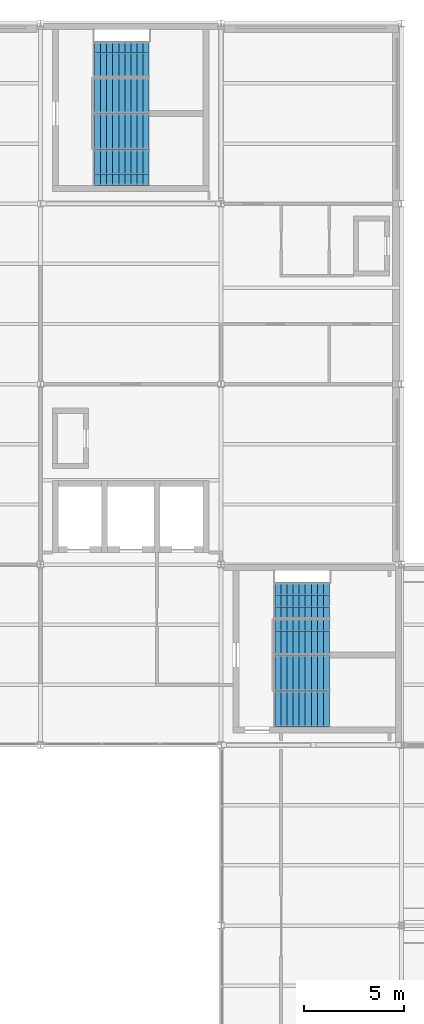
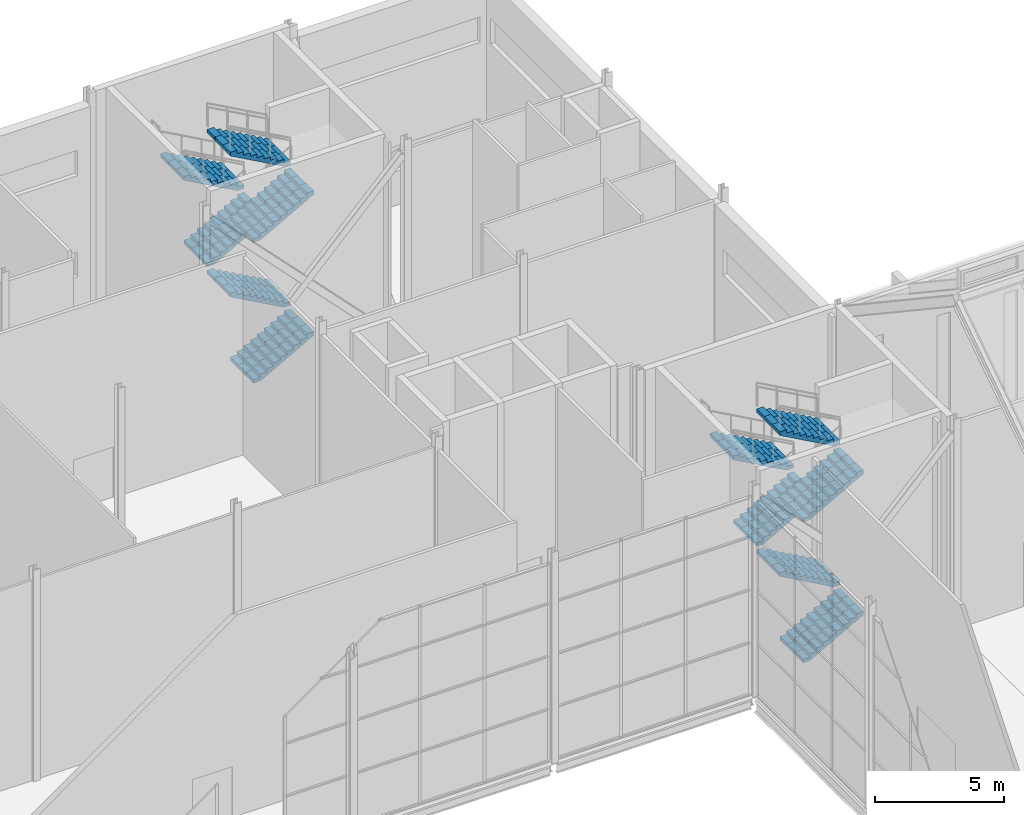
# One storey, part 99 of 111: 12 stair flights, 2 elements without a shape of their own.
"""IFC4 building model written with IfcOpenShell, lengths in metres."""

from ifc_helpers import new_model, si_unit, direction, frame, origin, place, context, subcontext, project, spatial, polyline, outline, extrude, material, type_object, element, aggregate, save


model = new_model("IFC4")

# Units and contexts
model_context = context("Model", 3, precision=1e-05, world=origin(), true_north=direction((0.0, 1.0)))
body_context = subcontext(model_context, "Body", "Model", "MODEL_VIEW")
ifc_project = project(units=[si_unit("LENGTHUNIT", "METRE"), si_unit("AREAUNIT", "SQUARE_METRE"), si_unit("VOLUMEUNIT", "CUBIC_METRE"), si_unit("PLANEANGLEUNIT", "RADIAN"), si_unit("MASSUNIT", "GRAM", prefix="KILO")], contexts=[model_context])

# Site, building, storey
site_placement = place(None, origin())
site = spatial("IfcSite", under=ifc_project, at=site_placement, CompositionType="ELEMENT")
building_placement = place(site_placement, origin())
building = spatial("IfcBuilding", under=site, at=building_placement, Name="Shorebreak Coast Museum", CompositionType="ELEMENT")
storey_placement = place(building_placement, frame((0.0, 0.0, 16.0)))
storey = spatial("IfcBuildingStorey", under=building, at=storey_placement, Name="L03", CompositionType="ELEMENT", Elevation=16.0)

# Stair, stair flights
ifc_material_1 = material(Name="Concrete N40 (40 MPa)", Category="concrete")
stair_type = type_object("IfcStairType", Name="Stair run 10 m", PredefinedType="DOUBLE_RETURN_STAIR", material=ifc_material_1)
stair_1_placement = place(storey_placement, origin())
stair_1 = element("IfcStair", 1, at=stair_1_placement, inside=storey, type_object=stair_type, Name="Exit stair ST04-L03", PredefinedType="DOUBLE_RETURN_STAIR")
ifc_material_2 = material(Name="Concrete N40 (40 MPa)", Category="concrete")
stair_flight_type = type_object("IfcStairFlightType", Name="Stair flight 10 risers 166.67", PredefinedType="STRAIGHT", material=ifc_material_2)
stair_flight_1_placement = place(storey_placement, frame((110.699951171875, 82.800048828125, 0.0), z_axis=(0.0, 0.0, 1.0), x_axis=(1.0, 0.0, 0.0)))
stair_flight_1 = element("IfcStairFlight", 2, at=stair_flight_1_placement, type_object=stair_flight_type, Name="ST04-L03 flight 1", NumberOfRisers=10, NumberOfTreads=9, PredefinedType="STRAIGHT", RiserHeight=0.166666667, TreadLength=0.3, context=body_context, shape_type="SweptSolid", body=[
    extrude(outline(polyline([(0.0, 0.0), (0.0, 0.166748046875), (0.300048828125, 0.166748046875), (0.300048828125, 0.333251953125), (0.60009765625, 0.333251953125), (0.60009765625, 0.5), (0.89990234375, 0.5), (0.89990234375, 0.666748046875), (1.199951171875, 0.666748046875), (1.199951171875, 0.833251953125), (1.5, 0.833251953125), (1.5, 1.0), (1.800048828125, 1.0), (1.800048828125, 1.166748046875), (2.10009765625, 1.166748046875), (2.10009765625, 1.333251953125), (2.39990234375, 1.333251953125), (2.39990234375, 1.5), (2.699951171875, 1.5), (2.699951171875, 1.666748046875), (2.699951171875, 1.32861328125), (0.30859375, 0.0), (0.0, 0.0)])), frame((0.0, 0.89990234375, 0.0), z_axis=(0.0, -1.0, 0.0), x_axis=(1.0, 0.0, 0.0)), (0.0, 0.0, 1.0), 0.59326171875),
    extrude(outline(polyline([(0.0, 0.0), (0.0, 0.166748046875), (0.300048828125, 0.166748046875), (0.300048828125, 0.333251953125), (0.60009765625, 0.333251953125), (0.60009765625, 0.5), (0.89990234375, 0.5), (0.89990234375, 0.666748046875), (1.199951171875, 0.666748046875), (1.199951171875, 0.833251953125), (1.5, 0.833251953125), (1.5, 1.0), (1.800048828125, 1.0), (1.800048828125, 1.166748046875), (2.10009765625, 1.166748046875), (2.10009765625, 1.333251953125), (2.39990234375, 1.333251953125), (2.39990234375, 1.5), (2.699951171875, 1.5), (2.699951171875, 1.666748046875), (2.699951171875, 1.32861328125), (0.30859375, 0.0), (0.0, 0.0)])), frame((0.0, 0.296630859375, 0.0), z_axis=(0.0, -1.0, 0.0), x_axis=(1.0, 0.0, 0.0)), (0.0, 0.0, 1.0), 0.59326171875),
    extrude(outline(polyline([(0.0, 0.0), (0.0, 0.166748046875), (0.300048828125, 0.166748046875), (0.300048828125, 0.333251953125), (0.60009765625, 0.333251953125), (0.60009765625, 0.5), (0.89990234375, 0.5), (0.89990234375, 0.666748046875), (1.199951171875, 0.666748046875), (1.199951171875, 0.833251953125), (1.5, 0.833251953125), (1.5, 1.0), (1.800048828125, 1.0), (1.800048828125, 1.166748046875), (2.10009765625, 1.166748046875), (2.10009765625, 1.333251953125), (2.39990234375, 1.333251953125), (2.39990234375, 1.5), (2.699951171875, 1.5), (2.699951171875, 1.666748046875), (2.699951171875, 1.32861328125), (0.30859375, 0.0), (0.0, 0.0)])), frame((0.0, -0.306640625, 0.0), z_axis=(0.0, -1.0, 0.0), x_axis=(1.0, 0.0, 0.0)), (0.0, 0.0, 1.0), 0.59326171875),
])
stair_flight_2_placement = place(storey_placement, frame((113.39990234375, 84.60009765625, 1.666748046875), z_axis=(0.0, 0.0, 1.0), x_axis=(-1.0, 0.0, 0.0)))
stair_flight_2 = element("IfcStairFlight", 3, at=stair_flight_2_placement, type_object=stair_flight_type, Name="ST04-L03 flight 2", NumberOfRisers=10, NumberOfTreads=9, PredefinedType="STRAIGHT", RiserHeight=0.166666667, TreadLength=0.3, context=body_context, shape_type="SweptSolid", body=[
    extrude(outline(polyline([(0.0, 0.0), (0.0, 0.166748046875), (0.300048828125, 0.166748046875), (0.300048828125, 0.333251953125), (0.60009765625, 0.333251953125), (0.60009765625, 0.5), (0.89990234375, 0.5), (0.89990234375, 0.666748046875), (1.199951171875, 0.666748046875), (1.199951171875, 0.833251953125), (1.5, 0.833251953125), (1.5, 1.0), (1.800048828125, 1.0), (1.800048828125, 1.166748046875), (2.10009765625, 1.166748046875), (2.10009765625, 1.333251953125), (2.39990234375, 1.333251953125), (2.39990234375, 1.5), (2.699951171875, 1.5), (2.699951171875, 1.666748046875), (2.699951171875, 1.32861328125), (0.30859375, 0.0), (0.0, 0.0)])), frame((0.0, 0.89990234375, 0.0), z_axis=(0.0, -1.0, 0.0), x_axis=(1.0, 0.0, 0.0)), (0.0, 0.0, 1.0), 0.59326171875),
    extrude(outline(polyline([(0.0, 0.0), (0.0, 0.166748046875), (0.300048828125, 0.166748046875), (0.300048828125, 0.333251953125), (0.60009765625, 0.333251953125), (0.60009765625, 0.5), (0.89990234375, 0.5), (0.89990234375, 0.666748046875), (1.199951171875, 0.666748046875), (1.199951171875, 0.833251953125), (1.5, 0.833251953125), (1.5, 1.0), (1.800048828125, 1.0), (1.800048828125, 1.166748046875), (2.10009765625, 1.166748046875), (2.10009765625, 1.333251953125), (2.39990234375, 1.333251953125), (2.39990234375, 1.5), (2.699951171875, 1.5), (2.699951171875, 1.666748046875), (2.699951171875, 1.32861328125), (0.30859375, 0.0), (0.0, 0.0)])), frame((0.0, 0.296630859375, 0.0), z_axis=(0.0, -1.0, 0.0), x_axis=(1.0, 0.0, 0.0)), (0.0, 0.0, 1.0), 0.59326171875),
    extrude(outline(polyline([(0.0, 0.0), (0.0, 0.166748046875), (0.300048828125, 0.166748046875), (0.300048828125, 0.333251953125), (0.60009765625, 0.333251953125), (0.60009765625, 0.5), (0.89990234375, 0.5), (0.89990234375, 0.666748046875), (1.199951171875, 0.666748046875), (1.199951171875, 0.833251953125), (1.5, 0.833251953125), (1.5, 1.0), (1.800048828125, 1.0), (1.800048828125, 1.166748046875), (2.10009765625, 1.166748046875), (2.10009765625, 1.333251953125), (2.39990234375, 1.333251953125), (2.39990234375, 1.5), (2.699951171875, 1.5), (2.699951171875, 1.666748046875), (2.699951171875, 1.32861328125), (0.30859375, 0.0), (0.0, 0.0)])), frame((0.0, -0.306640625, 0.0), z_axis=(0.0, -1.0, 0.0), x_axis=(1.0, 0.0, 0.0)), (0.0, 0.0, 1.0), 0.59326171875),
])
stair_flight_3_placement = place(storey_placement, frame((110.699951171875, 86.39990234375, 3.333251953125), z_axis=(0.0, 0.0, 1.0), x_axis=(1.0, 0.0, 0.0)))
stair_flight_3 = element("IfcStairFlight", 4, at=stair_flight_3_placement, type_object=stair_flight_type, Name="ST04-L03 flight 3", NumberOfRisers=10, NumberOfTreads=9, PredefinedType="STRAIGHT", RiserHeight=0.166666667, TreadLength=0.3, context=body_context, shape_type="SweptSolid", body=[
    extrude(outline(polyline([(0.0, 0.0), (0.0, 0.166748046875), (0.300048828125, 0.166748046875), (0.300048828125, 0.333251953125), (0.60009765625, 0.333251953125), (0.60009765625, 0.5), (0.89990234375, 0.5), (0.89990234375, 0.666748046875), (1.199951171875, 0.666748046875), (1.199951171875, 0.833251953125), (1.5, 0.833251953125), (1.5, 1.0), (1.800048828125, 1.0), (1.800048828125, 1.166748046875), (2.10009765625, 1.166748046875), (2.10009765625, 1.333251953125), (2.39990234375, 1.333251953125), (2.39990234375, 1.5), (2.699951171875, 1.5), (2.699951171875, 1.666748046875), (2.699951171875, 1.32861328125), (0.30859375, 0.0), (0.0, 0.0)])), frame((0.0, 0.89990234375, 0.0), z_axis=(0.0, -1.0, 0.0), x_axis=(1.0, 0.0, 0.0)), (0.0, 0.0, 1.0), 0.59326171875),
    extrude(outline(polyline([(0.0, 0.0), (0.0, 0.166748046875), (0.300048828125, 0.166748046875), (0.300048828125, 0.333251953125), (0.60009765625, 0.333251953125), (0.60009765625, 0.5), (0.89990234375, 0.5), (0.89990234375, 0.666748046875), (1.199951171875, 0.666748046875), (1.199951171875, 0.833251953125), (1.5, 0.833251953125), (1.5, 1.0), (1.800048828125, 1.0), (1.800048828125, 1.166748046875), (2.10009765625, 1.166748046875), (2.10009765625, 1.333251953125), (2.39990234375, 1.333251953125), (2.39990234375, 1.5), (2.699951171875, 1.5), (2.699951171875, 1.666748046875), (2.699951171875, 1.32861328125), (0.30859375, 0.0), (0.0, 0.0)])), frame((0.0, 0.296630859375, 0.0), z_axis=(0.0, -1.0, 0.0), x_axis=(1.0, 0.0, 0.0)), (0.0, 0.0, 1.0), 0.59326171875),
    extrude(outline(polyline([(0.0, 0.0), (0.0, 0.166748046875), (0.300048828125, 0.166748046875), (0.300048828125, 0.333251953125), (0.60009765625, 0.333251953125), (0.60009765625, 0.5), (0.89990234375, 0.5), (0.89990234375, 0.666748046875), (1.199951171875, 0.666748046875), (1.199951171875, 0.833251953125), (1.5, 0.833251953125), (1.5, 1.0), (1.800048828125, 1.0), (1.800048828125, 1.166748046875), (2.10009765625, 1.166748046875), (2.10009765625, 1.333251953125), (2.39990234375, 1.333251953125), (2.39990234375, 1.5), (2.699951171875, 1.5), (2.699951171875, 1.666748046875), (2.699951171875, 1.32861328125), (0.30859375, 0.0), (0.0, 0.0)])), frame((0.0, -0.306640625, 0.0), z_axis=(0.0, -1.0, 0.0), x_axis=(1.0, 0.0, 0.0)), (0.0, 0.0, 1.0), 0.59326171875),
])
stair_flight_4_placement = place(storey_placement, frame((113.39990234375, 88.199951171875, 5.0), z_axis=(0.0, 0.0, 1.0), x_axis=(-1.0, 0.0, 0.0)))
stair_flight_4 = element("IfcStairFlight", 5, at=stair_flight_4_placement, type_object=stair_flight_type, Name="ST04-L03 flight 4", NumberOfRisers=10, NumberOfTreads=9, PredefinedType="STRAIGHT", RiserHeight=0.166666667, TreadLength=0.3, context=body_context, shape_type="SweptSolid", body=[
    extrude(outline(polyline([(0.0, 0.0), (0.0, 0.166748046875), (0.300048828125, 0.166748046875), (0.300048828125, 0.333251953125), (0.60009765625, 0.333251953125), (0.60009765625, 0.5), (0.89990234375, 0.5), (0.89990234375, 0.666748046875), (1.199951171875, 0.666748046875), (1.199951171875, 0.833251953125), (1.5, 0.833251953125), (1.5, 1.0), (1.800048828125, 1.0), (1.800048828125, 1.166748046875), (2.10009765625, 1.166748046875), (2.10009765625, 1.333251953125), (2.39990234375, 1.333251953125), (2.39990234375, 1.5), (2.699951171875, 1.5), (2.699951171875, 1.666748046875), (2.699951171875, 1.32861328125), (0.30859375, 0.0), (0.0, 0.0)])), frame((0.0, 0.89990234375, 0.0), z_axis=(0.0, -1.0, 0.0), x_axis=(1.0, 0.0, 0.0)), (0.0, 0.0, 1.0), 0.59326171875),
    extrude(outline(polyline([(0.0, 0.0), (0.0, 0.166748046875), (0.300048828125, 0.166748046875), (0.300048828125, 0.333251953125), (0.60009765625, 0.333251953125), (0.60009765625, 0.5), (0.89990234375, 0.5), (0.89990234375, 0.666748046875), (1.199951171875, 0.666748046875), (1.199951171875, 0.833251953125), (1.5, 0.833251953125), (1.5, 1.0), (1.800048828125, 1.0), (1.800048828125, 1.166748046875), (2.10009765625, 1.166748046875), (2.10009765625, 1.333251953125), (2.39990234375, 1.333251953125), (2.39990234375, 1.5), (2.699951171875, 1.5), (2.699951171875, 1.666748046875), (2.699951171875, 1.32861328125), (0.30859375, 0.0), (0.0, 0.0)])), frame((0.0, 0.296630859375, 0.0), z_axis=(0.0, -1.0, 0.0), x_axis=(1.0, 0.0, 0.0)), (0.0, 0.0, 1.0), 0.59326171875),
    extrude(outline(polyline([(0.0, 0.0), (0.0, 0.166748046875), (0.300048828125, 0.166748046875), (0.300048828125, 0.333251953125), (0.60009765625, 0.333251953125), (0.60009765625, 0.5), (0.89990234375, 0.5), (0.89990234375, 0.666748046875), (1.199951171875, 0.666748046875), (1.199951171875, 0.833251953125), (1.5, 0.833251953125), (1.5, 1.0), (1.800048828125, 1.0), (1.800048828125, 1.166748046875), (2.10009765625, 1.166748046875), (2.10009765625, 1.333251953125), (2.39990234375, 1.333251953125), (2.39990234375, 1.5), (2.699951171875, 1.5), (2.699951171875, 1.666748046875), (2.699951171875, 1.32861328125), (0.30859375, 0.0), (0.0, 0.0)])), frame((0.0, -0.306640625, 0.0), z_axis=(0.0, -1.0, 0.0), x_axis=(1.0, 0.0, 0.0)), (0.0, 0.0, 1.0), 0.59326171875),
])
stair_flight_5_placement = place(storey_placement, frame((110.699951171875, 82.800048828125, 6.666748046875), z_axis=(0.0, 0.0, 1.0), x_axis=(1.0, 0.0, 0.0)))
stair_flight_5 = element("IfcStairFlight", 6, at=stair_flight_5_placement, type_object=stair_flight_type, Name="ST04-L03 flight 5", NumberOfRisers=10, NumberOfTreads=9, PredefinedType="STRAIGHT", RiserHeight=0.166666667, TreadLength=0.3, context=body_context, shape_type="SweptSolid", body=[
    extrude(outline(polyline([(0.0, 0.0), (0.0, 0.166748046875), (0.300048828125, 0.166748046875), (0.300048828125, 0.333251953125), (0.60009765625, 0.333251953125), (0.60009765625, 0.5), (0.89990234375, 0.5), (0.89990234375, 0.666748046875), (1.199951171875, 0.666748046875), (1.199951171875, 0.833251953125), (1.5, 0.833251953125), (1.5, 1.0), (1.800048828125, 1.0), (1.800048828125, 1.166748046875), (2.10009765625, 1.166748046875), (2.10009765625, 1.333251953125), (2.39990234375, 1.333251953125), (2.39990234375, 1.5), (2.699951171875, 1.5), (2.699951171875, 1.666748046875), (2.699951171875, 1.32861328125), (0.30859375, 0.0), (0.0, 0.0)])), frame((0.0, 0.89990234375, 0.0), z_axis=(0.0, -1.0, 0.0), x_axis=(1.0, 0.0, 0.0)), (0.0, 0.0, 1.0), 0.59326171875),
    extrude(outline(polyline([(0.0, 0.0), (0.0, 0.166748046875), (0.300048828125, 0.166748046875), (0.300048828125, 0.333251953125), (0.60009765625, 0.333251953125), (0.60009765625, 0.5), (0.89990234375, 0.5), (0.89990234375, 0.666748046875), (1.199951171875, 0.666748046875), (1.199951171875, 0.833251953125), (1.5, 0.833251953125), (1.5, 1.0), (1.800048828125, 1.0), (1.800048828125, 1.166748046875), (2.10009765625, 1.166748046875), (2.10009765625, 1.333251953125), (2.39990234375, 1.333251953125), (2.39990234375, 1.5), (2.699951171875, 1.5), (2.699951171875, 1.666748046875), (2.699951171875, 1.32861328125), (0.30859375, 0.0), (0.0, 0.0)])), frame((0.0, 0.296630859375, 0.0), z_axis=(0.0, -1.0, 0.0), x_axis=(1.0, 0.0, 0.0)), (0.0, 0.0, 1.0), 0.59326171875),
    extrude(outline(polyline([(0.0, 0.0), (0.0, 0.166748046875), (0.300048828125, 0.166748046875), (0.300048828125, 0.333251953125), (0.60009765625, 0.333251953125), (0.60009765625, 0.5), (0.89990234375, 0.5), (0.89990234375, 0.666748046875), (1.199951171875, 0.666748046875), (1.199951171875, 0.833251953125), (1.5, 0.833251953125), (1.5, 1.0), (1.800048828125, 1.0), (1.800048828125, 1.166748046875), (2.10009765625, 1.166748046875), (2.10009765625, 1.333251953125), (2.39990234375, 1.333251953125), (2.39990234375, 1.5), (2.699951171875, 1.5), (2.699951171875, 1.666748046875), (2.699951171875, 1.32861328125), (0.30859375, 0.0), (0.0, 0.0)])), frame((0.0, -0.306640625, 0.0), z_axis=(0.0, -1.0, 0.0), x_axis=(1.0, 0.0, 0.0)), (0.0, 0.0, 1.0), 0.59326171875),
])
stair_flight_6_placement = place(storey_placement, frame((113.39990234375, 84.60009765625, 8.333251953125), z_axis=(0.0, 0.0, 1.0), x_axis=(-1.0, 0.0, 0.0)))
stair_flight_6 = element("IfcStairFlight", 7, at=stair_flight_6_placement, type_object=stair_flight_type, Name="ST04-L03 flight 6", NumberOfRisers=10, NumberOfTreads=9, PredefinedType="STRAIGHT", RiserHeight=0.166666667, TreadLength=0.3, context=body_context, shape_type="SweptSolid", body=[
    extrude(outline(polyline([(0.0, 0.0), (0.0, 0.166748046875), (0.300048828125, 0.166748046875), (0.300048828125, 0.333251953125), (0.60009765625, 0.333251953125), (0.60009765625, 0.5), (0.89990234375, 0.5), (0.89990234375, 0.666748046875), (1.199951171875, 0.666748046875), (1.199951171875, 0.833251953125), (1.5, 0.833251953125), (1.5, 1.0), (1.800048828125, 1.0), (1.800048828125, 1.166748046875), (2.10009765625, 1.166748046875), (2.10009765625, 1.333251953125), (2.39990234375, 1.333251953125), (2.39990234375, 1.5), (2.699951171875, 1.5), (2.699951171875, 1.666748046875), (2.699951171875, 1.32861328125), (0.30859375, 0.0), (0.0, 0.0)])), frame((0.0, 0.89990234375, 0.0), z_axis=(0.0, -1.0, 0.0), x_axis=(1.0, 0.0, 0.0)), (0.0, 0.0, 1.0), 0.59326171875),
    extrude(outline(polyline([(0.0, 0.0), (0.0, 0.166748046875), (0.300048828125, 0.166748046875), (0.300048828125, 0.333251953125), (0.60009765625, 0.333251953125), (0.60009765625, 0.5), (0.89990234375, 0.5), (0.89990234375, 0.666748046875), (1.199951171875, 0.666748046875), (1.199951171875, 0.833251953125), (1.5, 0.833251953125), (1.5, 1.0), (1.800048828125, 1.0), (1.800048828125, 1.166748046875), (2.10009765625, 1.166748046875), (2.10009765625, 1.333251953125), (2.39990234375, 1.333251953125), (2.39990234375, 1.5), (2.699951171875, 1.5), (2.699951171875, 1.666748046875), (2.699951171875, 1.32861328125), (0.30859375, 0.0), (0.0, 0.0)])), frame((0.0, 0.296630859375, 0.0), z_axis=(0.0, -1.0, 0.0), x_axis=(1.0, 0.0, 0.0)), (0.0, 0.0, 1.0), 0.59326171875),
    extrude(outline(polyline([(0.0, 0.0), (0.0, 0.166748046875), (0.300048828125, 0.166748046875), (0.300048828125, 0.333251953125), (0.60009765625, 0.333251953125), (0.60009765625, 0.5), (0.89990234375, 0.5), (0.89990234375, 0.666748046875), (1.199951171875, 0.666748046875), (1.199951171875, 0.833251953125), (1.5, 0.833251953125), (1.5, 1.0), (1.800048828125, 1.0), (1.800048828125, 1.166748046875), (2.10009765625, 1.166748046875), (2.10009765625, 1.333251953125), (2.39990234375, 1.333251953125), (2.39990234375, 1.5), (2.699951171875, 1.5), (2.699951171875, 1.666748046875), (2.699951171875, 1.32861328125), (0.30859375, 0.0), (0.0, 0.0)])), frame((0.0, -0.306640625, 0.0), z_axis=(0.0, -1.0, 0.0), x_axis=(1.0, 0.0, 0.0)), (0.0, 0.0, 1.0), 0.59326171875),
])
aggregate(stair_1, [stair_flight_1, stair_flight_2, stair_flight_3, stair_flight_4, stair_flight_5, stair_flight_6])

stair_2_placement = place(storey_placement, origin())
stair_2 = element("IfcStair", 8, at=stair_2_placement, inside=storey, type_object=stair_type, Name="Exit stair ST10-L03", PredefinedType="DOUBLE_RETURN_STAIR")
stair_flight_7_placement = place(storey_placement, frame((101.699951171875, 109.800048828125, 0.0), z_axis=(0.0, 0.0, 1.0), x_axis=(1.0, 0.0, 0.0)))
stair_flight_7 = element("IfcStairFlight", 9, at=stair_flight_7_placement, type_object=stair_flight_type, Name="ST10-L03 flight 1", NumberOfRisers=10, NumberOfTreads=9, PredefinedType="STRAIGHT", RiserHeight=0.166666667, TreadLength=0.3, context=body_context, shape_type="SweptSolid", body=[
    extrude(outline(polyline([(0.0, 0.0), (0.0, 0.166748046875), (0.300048828125, 0.166748046875), (0.300048828125, 0.333251953125), (0.60009765625, 0.333251953125), (0.60009765625, 0.5), (0.89990234375, 0.5), (0.89990234375, 0.666748046875), (1.199951171875, 0.666748046875), (1.199951171875, 0.833251953125), (1.5, 0.833251953125), (1.5, 1.0), (1.800048828125, 1.0), (1.800048828125, 1.166748046875), (2.10009765625, 1.166748046875), (2.10009765625, 1.333251953125), (2.39990234375, 1.333251953125), (2.39990234375, 1.5), (2.699951171875, 1.5), (2.699951171875, 1.666748046875), (2.699951171875, 1.32861328125), (0.30859375, 0.0), (0.0, 0.0)])), frame((0.0, 0.89990234375, 0.0), z_axis=(0.0, -1.0, 0.0), x_axis=(1.0, 0.0, 0.0)), (0.0, 0.0, 1.0), 0.59326171875),
    extrude(outline(polyline([(0.0, 0.0), (0.0, 0.166748046875), (0.300048828125, 0.166748046875), (0.300048828125, 0.333251953125), (0.60009765625, 0.333251953125), (0.60009765625, 0.5), (0.89990234375, 0.5), (0.89990234375, 0.666748046875), (1.199951171875, 0.666748046875), (1.199951171875, 0.833251953125), (1.5, 0.833251953125), (1.5, 1.0), (1.800048828125, 1.0), (1.800048828125, 1.166748046875), (2.10009765625, 1.166748046875), (2.10009765625, 1.333251953125), (2.39990234375, 1.333251953125), (2.39990234375, 1.5), (2.699951171875, 1.5), (2.699951171875, 1.666748046875), (2.699951171875, 1.32861328125), (0.30859375, 0.0), (0.0, 0.0)])), frame((0.0, 0.296630859375, 0.0), z_axis=(0.0, -1.0, 0.0), x_axis=(1.0, 0.0, 0.0)), (0.0, 0.0, 1.0), 0.59326171875),
    extrude(outline(polyline([(0.0, 0.0), (0.0, 0.166748046875), (0.300048828125, 0.166748046875), (0.300048828125, 0.333251953125), (0.60009765625, 0.333251953125), (0.60009765625, 0.5), (0.89990234375, 0.5), (0.89990234375, 0.666748046875), (1.199951171875, 0.666748046875), (1.199951171875, 0.833251953125), (1.5, 0.833251953125), (1.5, 1.0), (1.800048828125, 1.0), (1.800048828125, 1.166748046875), (2.10009765625, 1.166748046875), (2.10009765625, 1.333251953125), (2.39990234375, 1.333251953125), (2.39990234375, 1.5), (2.699951171875, 1.5), (2.699951171875, 1.666748046875), (2.699951171875, 1.32861328125), (0.30859375, 0.0), (0.0, 0.0)])), frame((0.0, -0.306640625, 0.0), z_axis=(0.0, -1.0, 0.0), x_axis=(1.0, 0.0, 0.0)), (0.0, 0.0, 1.0), 0.59326171875),
])
stair_flight_8_placement = place(storey_placement, frame((104.39990234375, 111.60009765625, 1.666748046875), z_axis=(0.0, 0.0, 1.0), x_axis=(-1.0, 0.0, 0.0)))
stair_flight_8 = element("IfcStairFlight", 10, at=stair_flight_8_placement, type_object=stair_flight_type, Name="ST10-L03 flight 2", NumberOfRisers=10, NumberOfTreads=9, PredefinedType="STRAIGHT", RiserHeight=0.166666667, TreadLength=0.3, context=body_context, shape_type="SweptSolid", body=[
    extrude(outline(polyline([(0.0, 0.0), (0.0, 0.166748046875), (0.300048828125, 0.166748046875), (0.300048828125, 0.333251953125), (0.60009765625, 0.333251953125), (0.60009765625, 0.5), (0.89990234375, 0.5), (0.89990234375, 0.666748046875), (1.199951171875, 0.666748046875), (1.199951171875, 0.833251953125), (1.5, 0.833251953125), (1.5, 1.0), (1.800048828125, 1.0), (1.800048828125, 1.166748046875), (2.10009765625, 1.166748046875), (2.10009765625, 1.333251953125), (2.39990234375, 1.333251953125), (2.39990234375, 1.5), (2.699951171875, 1.5), (2.699951171875, 1.666748046875), (2.699951171875, 1.32861328125), (0.30859375, 0.0), (0.0, 0.0)])), frame((0.0, 0.89990234375, 0.0), z_axis=(0.0, -1.0, 0.0), x_axis=(1.0, 0.0, 0.0)), (0.0, 0.0, 1.0), 0.59326171875),
    extrude(outline(polyline([(0.0, 0.0), (0.0, 0.166748046875), (0.300048828125, 0.166748046875), (0.300048828125, 0.333251953125), (0.60009765625, 0.333251953125), (0.60009765625, 0.5), (0.89990234375, 0.5), (0.89990234375, 0.666748046875), (1.199951171875, 0.666748046875), (1.199951171875, 0.833251953125), (1.5, 0.833251953125), (1.5, 1.0), (1.800048828125, 1.0), (1.800048828125, 1.166748046875), (2.10009765625, 1.166748046875), (2.10009765625, 1.333251953125), (2.39990234375, 1.333251953125), (2.39990234375, 1.5), (2.699951171875, 1.5), (2.699951171875, 1.666748046875), (2.699951171875, 1.32861328125), (0.30859375, 0.0), (0.0, 0.0)])), frame((0.0, 0.296630859375, 0.0), z_axis=(0.0, -1.0, 0.0), x_axis=(1.0, 0.0, 0.0)), (0.0, 0.0, 1.0), 0.59326171875),
    extrude(outline(polyline([(0.0, 0.0), (0.0, 0.166748046875), (0.300048828125, 0.166748046875), (0.300048828125, 0.333251953125), (0.60009765625, 0.333251953125), (0.60009765625, 0.5), (0.89990234375, 0.5), (0.89990234375, 0.666748046875), (1.199951171875, 0.666748046875), (1.199951171875, 0.833251953125), (1.5, 0.833251953125), (1.5, 1.0), (1.800048828125, 1.0), (1.800048828125, 1.166748046875), (2.10009765625, 1.166748046875), (2.10009765625, 1.333251953125), (2.39990234375, 1.333251953125), (2.39990234375, 1.5), (2.699951171875, 1.5), (2.699951171875, 1.666748046875), (2.699951171875, 1.32861328125), (0.30859375, 0.0), (0.0, 0.0)])), frame((0.0, -0.306640625, 0.0), z_axis=(0.0, -1.0, 0.0), x_axis=(1.0, 0.0, 0.0)), (0.0, 0.0, 1.0), 0.59326171875),
])
stair_flight_9_placement = place(storey_placement, frame((101.699951171875, 113.39990234375, 3.333251953125), z_axis=(0.0, 0.0, 1.0), x_axis=(1.0, 0.0, 0.0)))
stair_flight_9 = element("IfcStairFlight", 11, at=stair_flight_9_placement, type_object=stair_flight_type, Name="ST10-L03 flight 3", NumberOfRisers=10, NumberOfTreads=9, PredefinedType="STRAIGHT", RiserHeight=0.166666667, TreadLength=0.3, context=body_context, shape_type="SweptSolid", body=[
    extrude(outline(polyline([(0.0, 0.0), (0.0, 0.166748046875), (0.300048828125, 0.166748046875), (0.300048828125, 0.333251953125), (0.60009765625, 0.333251953125), (0.60009765625, 0.5), (0.89990234375, 0.5), (0.89990234375, 0.666748046875), (1.199951171875, 0.666748046875), (1.199951171875, 0.833251953125), (1.5, 0.833251953125), (1.5, 1.0), (1.800048828125, 1.0), (1.800048828125, 1.166748046875), (2.10009765625, 1.166748046875), (2.10009765625, 1.333251953125), (2.39990234375, 1.333251953125), (2.39990234375, 1.5), (2.699951171875, 1.5), (2.699951171875, 1.666748046875), (2.699951171875, 1.32861328125), (0.30859375, 0.0), (0.0, 0.0)])), frame((0.0, 0.89990234375, 0.0), z_axis=(0.0, -1.0, 0.0), x_axis=(1.0, 0.0, 0.0)), (0.0, 0.0, 1.0), 0.59326171875),
    extrude(outline(polyline([(0.0, 0.0), (0.0, 0.166748046875), (0.300048828125, 0.166748046875), (0.300048828125, 0.333251953125), (0.60009765625, 0.333251953125), (0.60009765625, 0.5), (0.89990234375, 0.5), (0.89990234375, 0.666748046875), (1.199951171875, 0.666748046875), (1.199951171875, 0.833251953125), (1.5, 0.833251953125), (1.5, 1.0), (1.800048828125, 1.0), (1.800048828125, 1.166748046875), (2.10009765625, 1.166748046875), (2.10009765625, 1.333251953125), (2.39990234375, 1.333251953125), (2.39990234375, 1.5), (2.699951171875, 1.5), (2.699951171875, 1.666748046875), (2.699951171875, 1.32861328125), (0.30859375, 0.0), (0.0, 0.0)])), frame((0.0, 0.296630859375, 0.0), z_axis=(0.0, -1.0, 0.0), x_axis=(1.0, 0.0, 0.0)), (0.0, 0.0, 1.0), 0.59326171875),
    extrude(outline(polyline([(0.0, 0.0), (0.0, 0.166748046875), (0.300048828125, 0.166748046875), (0.300048828125, 0.333251953125), (0.60009765625, 0.333251953125), (0.60009765625, 0.5), (0.89990234375, 0.5), (0.89990234375, 0.666748046875), (1.199951171875, 0.666748046875), (1.199951171875, 0.833251953125), (1.5, 0.833251953125), (1.5, 1.0), (1.800048828125, 1.0), (1.800048828125, 1.166748046875), (2.10009765625, 1.166748046875), (2.10009765625, 1.333251953125), (2.39990234375, 1.333251953125), (2.39990234375, 1.5), (2.699951171875, 1.5), (2.699951171875, 1.666748046875), (2.699951171875, 1.32861328125), (0.30859375, 0.0), (0.0, 0.0)])), frame((0.0, -0.306640625, 0.0), z_axis=(0.0, -1.0, 0.0), x_axis=(1.0, 0.0, 0.0)), (0.0, 0.0, 1.0), 0.59326171875),
])
stair_flight_10_placement = place(storey_placement, frame((104.39990234375, 115.199951171875, 5.0), z_axis=(0.0, 0.0, 1.0), x_axis=(-1.0, 0.0, 0.0)))
stair_flight_10 = element("IfcStairFlight", 12, at=stair_flight_10_placement, type_object=stair_flight_type, Name="ST10-L03 flight 4", NumberOfRisers=10, NumberOfTreads=9, PredefinedType="STRAIGHT", RiserHeight=0.166666667, TreadLength=0.3, context=body_context, shape_type="SweptSolid", body=[
    extrude(outline(polyline([(0.0, 0.0), (0.0, 0.166748046875), (0.300048828125, 0.166748046875), (0.300048828125, 0.333251953125), (0.60009765625, 0.333251953125), (0.60009765625, 0.5), (0.89990234375, 0.5), (0.89990234375, 0.666748046875), (1.199951171875, 0.666748046875), (1.199951171875, 0.833251953125), (1.5, 0.833251953125), (1.5, 1.0), (1.800048828125, 1.0), (1.800048828125, 1.166748046875), (2.10009765625, 1.166748046875), (2.10009765625, 1.333251953125), (2.39990234375, 1.333251953125), (2.39990234375, 1.5), (2.699951171875, 1.5), (2.699951171875, 1.666748046875), (2.699951171875, 1.32861328125), (0.30859375, 0.0), (0.0, 0.0)])), frame((0.0, 0.89990234375, 0.0), z_axis=(0.0, -1.0, 0.0), x_axis=(1.0, 0.0, 0.0)), (0.0, 0.0, 1.0), 0.59326171875),
    extrude(outline(polyline([(0.0, 0.0), (0.0, 0.166748046875), (0.300048828125, 0.166748046875), (0.300048828125, 0.333251953125), (0.60009765625, 0.333251953125), (0.60009765625, 0.5), (0.89990234375, 0.5), (0.89990234375, 0.666748046875), (1.199951171875, 0.666748046875), (1.199951171875, 0.833251953125), (1.5, 0.833251953125), (1.5, 1.0), (1.800048828125, 1.0), (1.800048828125, 1.166748046875), (2.10009765625, 1.166748046875), (2.10009765625, 1.333251953125), (2.39990234375, 1.333251953125), (2.39990234375, 1.5), (2.699951171875, 1.5), (2.699951171875, 1.666748046875), (2.699951171875, 1.32861328125), (0.30859375, 0.0), (0.0, 0.0)])), frame((0.0, 0.296630859375, 0.0), z_axis=(0.0, -1.0, 0.0), x_axis=(1.0, 0.0, 0.0)), (0.0, 0.0, 1.0), 0.59326171875),
    extrude(outline(polyline([(0.0, 0.0), (0.0, 0.166748046875), (0.300048828125, 0.166748046875), (0.300048828125, 0.333251953125), (0.60009765625, 0.333251953125), (0.60009765625, 0.5), (0.89990234375, 0.5), (0.89990234375, 0.666748046875), (1.199951171875, 0.666748046875), (1.199951171875, 0.833251953125), (1.5, 0.833251953125), (1.5, 1.0), (1.800048828125, 1.0), (1.800048828125, 1.166748046875), (2.10009765625, 1.166748046875), (2.10009765625, 1.333251953125), (2.39990234375, 1.333251953125), (2.39990234375, 1.5), (2.699951171875, 1.5), (2.699951171875, 1.666748046875), (2.699951171875, 1.32861328125), (0.30859375, 0.0), (0.0, 0.0)])), frame((0.0, -0.306640625, 0.0), z_axis=(0.0, -1.0, 0.0), x_axis=(1.0, 0.0, 0.0)), (0.0, 0.0, 1.0), 0.59326171875),
])
stair_flight_11_placement = place(storey_placement, frame((101.699951171875, 109.800048828125, 6.666748046875), z_axis=(0.0, 0.0, 1.0), x_axis=(1.0, 0.0, 0.0)))
stair_flight_11 = element("IfcStairFlight", 13, at=stair_flight_11_placement, type_object=stair_flight_type, Name="ST10-L03 flight 5", NumberOfRisers=10, NumberOfTreads=9, PredefinedType="STRAIGHT", RiserHeight=0.166666667, TreadLength=0.3, context=body_context, shape_type="SweptSolid", body=[
    extrude(outline(polyline([(0.0, 0.0), (0.0, 0.166748046875), (0.300048828125, 0.166748046875), (0.300048828125, 0.333251953125), (0.60009765625, 0.333251953125), (0.60009765625, 0.5), (0.89990234375, 0.5), (0.89990234375, 0.666748046875), (1.199951171875, 0.666748046875), (1.199951171875, 0.833251953125), (1.5, 0.833251953125), (1.5, 1.0), (1.800048828125, 1.0), (1.800048828125, 1.166748046875), (2.10009765625, 1.166748046875), (2.10009765625, 1.333251953125), (2.39990234375, 1.333251953125), (2.39990234375, 1.5), (2.699951171875, 1.5), (2.699951171875, 1.666748046875), (2.699951171875, 1.32861328125), (0.30859375, 0.0), (0.0, 0.0)])), frame((0.0, 0.89990234375, 0.0), z_axis=(0.0, -1.0, 0.0), x_axis=(1.0, 0.0, 0.0)), (0.0, 0.0, 1.0), 0.59326171875),
    extrude(outline(polyline([(0.0, 0.0), (0.0, 0.166748046875), (0.300048828125, 0.166748046875), (0.300048828125, 0.333251953125), (0.60009765625, 0.333251953125), (0.60009765625, 0.5), (0.89990234375, 0.5), (0.89990234375, 0.666748046875), (1.199951171875, 0.666748046875), (1.199951171875, 0.833251953125), (1.5, 0.833251953125), (1.5, 1.0), (1.800048828125, 1.0), (1.800048828125, 1.166748046875), (2.10009765625, 1.166748046875), (2.10009765625, 1.333251953125), (2.39990234375, 1.333251953125), (2.39990234375, 1.5), (2.699951171875, 1.5), (2.699951171875, 1.666748046875), (2.699951171875, 1.32861328125), (0.30859375, 0.0), (0.0, 0.0)])), frame((0.0, 0.296630859375, 0.0), z_axis=(0.0, -1.0, 0.0), x_axis=(1.0, 0.0, 0.0)), (0.0, 0.0, 1.0), 0.59326171875),
    extrude(outline(polyline([(0.0, 0.0), (0.0, 0.166748046875), (0.300048828125, 0.166748046875), (0.300048828125, 0.333251953125), (0.60009765625, 0.333251953125), (0.60009765625, 0.5), (0.89990234375, 0.5), (0.89990234375, 0.666748046875), (1.199951171875, 0.666748046875), (1.199951171875, 0.833251953125), (1.5, 0.833251953125), (1.5, 1.0), (1.800048828125, 1.0), (1.800048828125, 1.166748046875), (2.10009765625, 1.166748046875), (2.10009765625, 1.333251953125), (2.39990234375, 1.333251953125), (2.39990234375, 1.5), (2.699951171875, 1.5), (2.699951171875, 1.666748046875), (2.699951171875, 1.32861328125), (0.30859375, 0.0), (0.0, 0.0)])), frame((0.0, -0.306640625, 0.0), z_axis=(0.0, -1.0, 0.0), x_axis=(1.0, 0.0, 0.0)), (0.0, 0.0, 1.0), 0.59326171875),
])
stair_flight_12_placement = place(storey_placement, frame((104.39990234375, 111.60009765625, 8.333251953125), z_axis=(0.0, 0.0, 1.0), x_axis=(-1.0, 0.0, 0.0)))
stair_flight_12 = element("IfcStairFlight", 14, at=stair_flight_12_placement, type_object=stair_flight_type, Name="ST10-L03 flight 6", NumberOfRisers=10, NumberOfTreads=9, PredefinedType="STRAIGHT", RiserHeight=0.166666667, TreadLength=0.3, context=body_context, shape_type="SweptSolid", body=[
    extrude(outline(polyline([(0.0, 0.0), (0.0, 0.166748046875), (0.300048828125, 0.166748046875), (0.300048828125, 0.333251953125), (0.60009765625, 0.333251953125), (0.60009765625, 0.5), (0.89990234375, 0.5), (0.89990234375, 0.666748046875), (1.199951171875, 0.666748046875), (1.199951171875, 0.833251953125), (1.5, 0.833251953125), (1.5, 1.0), (1.800048828125, 1.0), (1.800048828125, 1.166748046875), (2.10009765625, 1.166748046875), (2.10009765625, 1.333251953125), (2.39990234375, 1.333251953125), (2.39990234375, 1.5), (2.699951171875, 1.5), (2.699951171875, 1.666748046875), (2.699951171875, 1.32861328125), (0.30859375, 0.0), (0.0, 0.0)])), frame((0.0, 0.89990234375, 0.0), z_axis=(0.0, -1.0, 0.0), x_axis=(1.0, 0.0, 0.0)), (0.0, 0.0, 1.0), 0.59326171875),
    extrude(outline(polyline([(0.0, 0.0), (0.0, 0.166748046875), (0.300048828125, 0.166748046875), (0.300048828125, 0.333251953125), (0.60009765625, 0.333251953125), (0.60009765625, 0.5), (0.89990234375, 0.5), (0.89990234375, 0.666748046875), (1.199951171875, 0.666748046875), (1.199951171875, 0.833251953125), (1.5, 0.833251953125), (1.5, 1.0), (1.800048828125, 1.0), (1.800048828125, 1.166748046875), (2.10009765625, 1.166748046875), (2.10009765625, 1.333251953125), (2.39990234375, 1.333251953125), (2.39990234375, 1.5), (2.699951171875, 1.5), (2.699951171875, 1.666748046875), (2.699951171875, 1.32861328125), (0.30859375, 0.0), (0.0, 0.0)])), frame((0.0, 0.296630859375, 0.0), z_axis=(0.0, -1.0, 0.0), x_axis=(1.0, 0.0, 0.0)), (0.0, 0.0, 1.0), 0.59326171875),
    extrude(outline(polyline([(0.0, 0.0), (0.0, 0.166748046875), (0.300048828125, 0.166748046875), (0.300048828125, 0.333251953125), (0.60009765625, 0.333251953125), (0.60009765625, 0.5), (0.89990234375, 0.5), (0.89990234375, 0.666748046875), (1.199951171875, 0.666748046875), (1.199951171875, 0.833251953125), (1.5, 0.833251953125), (1.5, 1.0), (1.800048828125, 1.0), (1.800048828125, 1.166748046875), (2.10009765625, 1.166748046875), (2.10009765625, 1.333251953125), (2.39990234375, 1.333251953125), (2.39990234375, 1.5), (2.699951171875, 1.5), (2.699951171875, 1.666748046875), (2.699951171875, 1.32861328125), (0.30859375, 0.0), (0.0, 0.0)])), frame((0.0, -0.306640625, 0.0), z_axis=(0.0, -1.0, 0.0), x_axis=(1.0, 0.0, 0.0)), (0.0, 0.0, 1.0), 0.59326171875),
])
aggregate(stair_2, [stair_flight_7, stair_flight_8, stair_flight_9, stair_flight_10, stair_flight_11, stair_flight_12])

save(model, "model.ifc")
